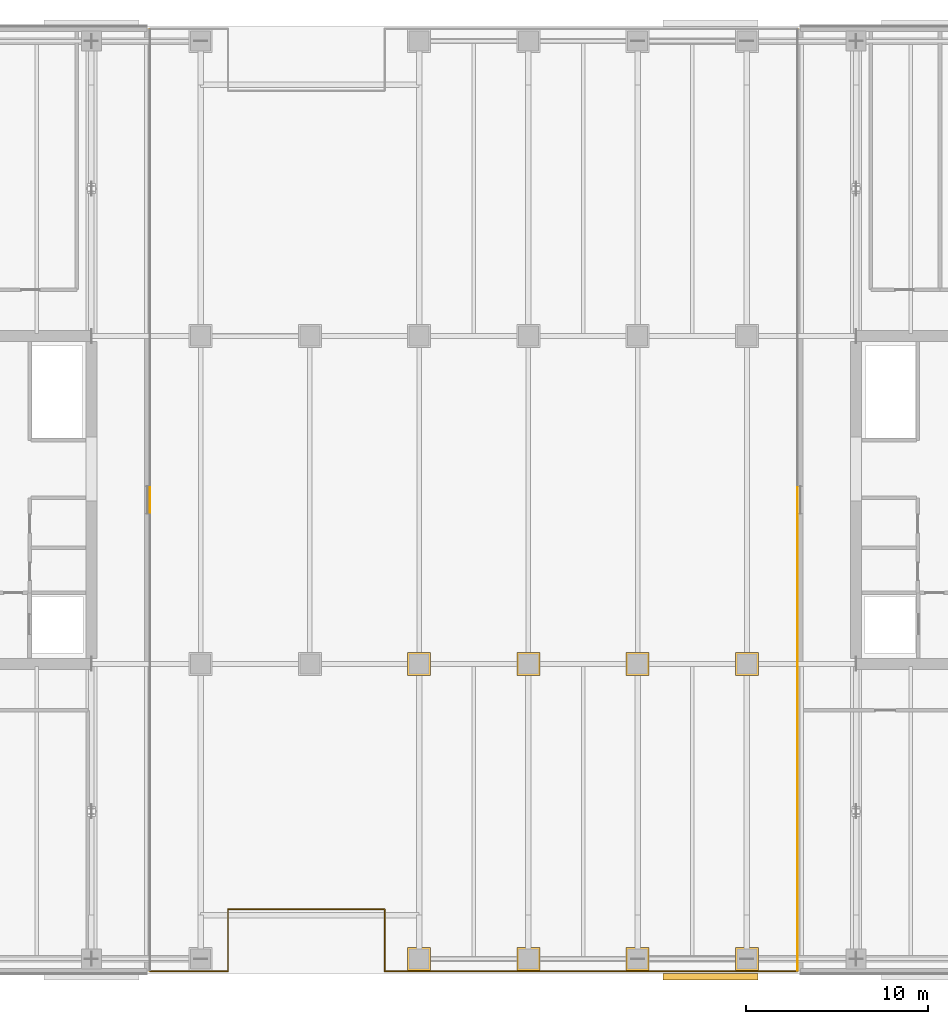
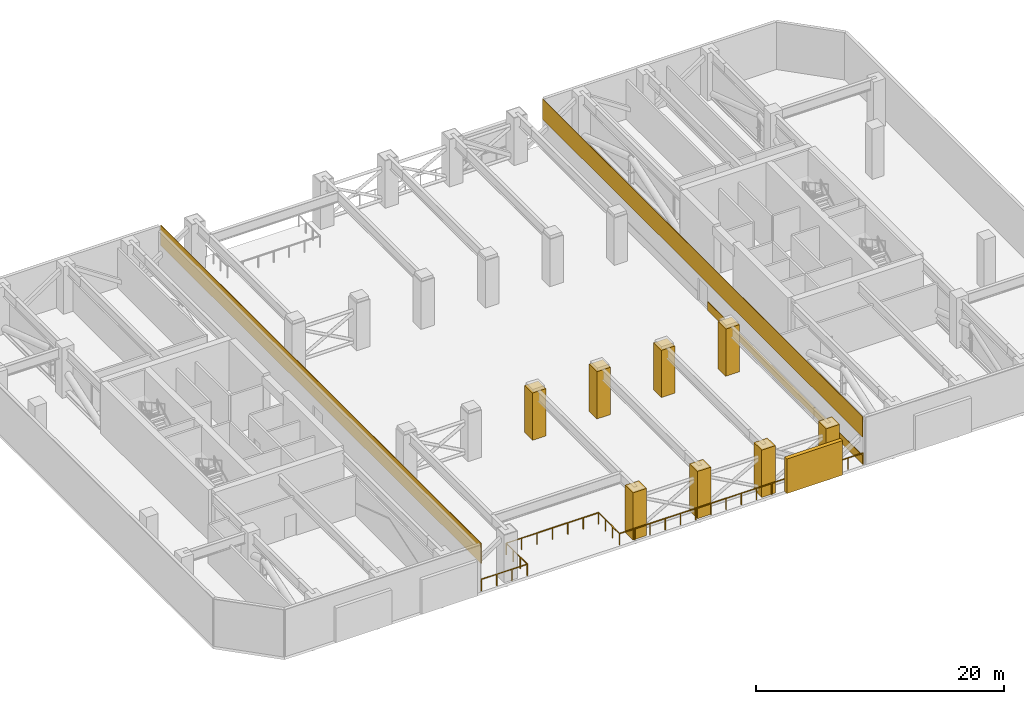
# One storey, part 17 of 22: 11 coverings, 1 railing, 1 shading device.
"""IFC4 building model written with IfcOpenShell, lengths in metres."""

from ifc_helpers import new_model, si_unit, direction, frame, origin, origin_2d, place, context, subcontext, project, spatial, rectangle, extrude, material, layer, layer_set, type_object, element, save


model = new_model("IFC4")

# Units and contexts
model_context = context("Model", 3, precision=1e-05, world=origin(), true_north=direction((0.0, 1.0)))
body_context = subcontext(model_context, "Body", "Model", "MODEL_VIEW")
ifc_project = project(units=[si_unit("LENGTHUNIT", "METRE"), si_unit("AREAUNIT", "SQUARE_METRE"), si_unit("VOLUMEUNIT", "CUBIC_METRE"), si_unit("PLANEANGLEUNIT", "RADIAN"), si_unit("MASSUNIT", "GRAM", prefix="KILO")], contexts=[model_context])

# Site, building, storey
site_placement = place(None, origin())
site = spatial("IfcSite", under=ifc_project, at=site_placement, CompositionType="ELEMENT")
building_placement = place(site_placement, origin())
building = spatial("IfcBuilding", under=site, at=building_placement, Name="Tanjung Sevakor Pilgrim Tower", CompositionType="ELEMENT")
storey_placement = place(building_placement, frame((0.0, 0.0, 73.260009765625)))
storey = spatial("IfcBuildingStorey", under=building, at=storey_placement, Name="L20", CompositionType="ELEMENT", Elevation=73.260009765625)

# Coverings
ifc_material_1 = material(Name="Reconstructed Limestone Cladding", Category="masonry")
ifc_layer = layer(ifc_material_1, 0.044921875)
ifc_layer_set = layer_set([ifc_layer], Name="COV-CLAD-LIMESTONE")
covering_type = type_object("IfcCoveringType", Name="COV-CLAD-LIMESTONE", PredefinedType="CLADDING", material=ifc_layer_set)
covering_1_placement = place(storey_placement, frame((39.222412109375, 33.60009765625, 2.659912109375), z_axis=(0.0, 0.0, 1.0), x_axis=(0.0, 1.0, 0.0)))
element("IfcCovering", 1, at=covering_1_placement, inside=storey, type_object=covering_type, Name="L20 Warm Limestone Cornice Spandrel EW-RFW-L20-2", PredefinedType="CLADDING", context=body_context, shape_type="SweptSolid", body=[
    extrude(rectangle(XDim=51.679931640625, YDim=0.044921875, at=origin_2d()), origin(), (0.0, 0.0, 1.0), 2.0),
])
covering_2_placement = place(storey_placement, frame((74.777587890625, 20.284912109375, 0.009765625), z_axis=(0.0, 0.0, 1.0), x_axis=(0.0, -1.0, 0.0)))
element("IfcCovering", 2, at=covering_2_placement, inside=storey, type_object=covering_type, Name="L20 Warm Limestone Sill Spandrel EW-RFE-L20-6-2", PredefinedType="CLADDING", context=body_context, shape_type="SweptSolid", body=[
    extrude(rectangle(XDim=25.010009765625, YDim=0.044921875, at=origin_2d()), origin(), (0.0, 0.0, 1.0), 0.840087890625),
])
covering_3_placement = place(storey_placement, frame((74.777587890625, 33.60009765625, 2.659912109375), z_axis=(0.0, 0.0, 1.0), x_axis=(0.0, -1.0, 0.0)))
element("IfcCovering", 3, at=covering_3_placement, inside=storey, type_object=covering_type, Name="L20 Warm Limestone Cornice Spandrel EW-RFE-L20-6", PredefinedType="CLADDING", context=body_context, shape_type="SweptSolid", body=[
    extrude(rectangle(XDim=51.679931640625, YDim=0.044921875, at=origin_2d()), origin(), (0.0, 0.0, 1.0), 2.0),
])
for number, where, z_axis, x_axis, name in (
    (4, (54.0, 24.60009765625, 0.010009765625), (0.0, 0.0, 1.0), (1.0, 0.0, 0.0), "L20 Portal Colonnade Limestone Casing 07"),
    (5, (60.0, 24.60009765625, 0.010009765625), (0.0, 0.0, 1.0), (1.0, 0.0, 0.0), "L20 Portal Colonnade Limestone Casing 09"),
    (6, (66.0, 24.60009765625, 0.010009765625), (0.0, 0.0, 1.0), (1.0, 0.0, 0.0), "L20 Portal Colonnade Limestone Casing 11"),
    (7, (72.0, 24.60009765625, 0.010009765625), (0.0, 0.0, 1.0), (1.0, 0.0, 0.0), "L20 Portal Colonnade Limestone Casing 13"),
    (8, (54.0, 8.39990234375, 0.010009765625), (0.0, 0.0, 1.0), (1.0, 0.0, 0.0), "L20 Portal Colonnade Limestone Casing 33"),
    (9, (60.0, 8.39990234375, 0.010009765625), (0.0, 0.0, 1.0), (1.0, 0.0, 0.0), "L20 Portal Colonnade Limestone Casing 35"),
    (10, (66.0, 8.39990234375, 0.010009765625), (0.0, 0.0, 1.0), (1.0, 0.0, 0.0), "L20 Portal Colonnade Limestone Casing 37"),
    (11, (72.0, 8.39990234375, 0.010009765625), (0.0, 0.0, 1.0), (1.0, 0.0, 0.0), "L20 Portal Colonnade Limestone Casing 39"),
):
    element("IfcCovering", number, at=place(storey_placement, frame(where, z_axis=z_axis, x_axis=x_axis)), inside=storey, type_object=covering_type, Name=name, PredefinedType="CLADDING", context=body_context, shape_type="SweptSolid", body=[
        extrude(rectangle(XDim=1.260009765625, YDim=1.260009765625, at=origin_2d()), origin(), (0.0, 0.0, 1.0), 4.64990234375),
    ])

# Railing
ifc_material_2 = material(Name="Steel S355J2", Category="steel")
railing_type = type_object("IfcRailingType", Name="RL-EXT-GUARD", PredefinedType="GUARDRAIL", material=ifc_material_2)
railing_placement = place(storey_placement, frame((39.219970703125, 7.719970703125, 0.0)))
element("IfcRailing", 12, at=railing_placement, inside=storey, type_object=railing_type, Name="L20 South Wind-Turbine Portal Guardrail", PredefinedType="GUARDRAIL", context=body_context, shape_type="SweptSolid", body=[
    extrude(rectangle(XDim=0.0479, YDim=0.0479), frame((0.0, 0.0, 1.1259765625), z_axis=(1.0, 0.0, 0.0), x_axis=(0.0, 1.0, 0.0)), (0.0, 0.0, 1.0), 4.280029296875),
    extrude(rectangle(XDim=0.0479, YDim=0.0479), frame((4.280029296875, 0.0, 1.1259765625), z_axis=(0.0, 1.0, 0.0), x_axis=(-1.0, 0.0, 0.0)), (0.0, 0.0, 1.0), 3.400146484375),
    extrude(rectangle(XDim=0.0479, YDim=0.0479), frame((4.280029296875, 3.400146484375, 1.1259765625), z_axis=(1.0, 0.0, 0.0), x_axis=(0.0, 1.0, 0.0)), (0.0, 0.0, 1.0), 8.60009765625),
    extrude(rectangle(XDim=0.0479, YDim=0.0479), frame((12.880126953125, 3.400146484375, 1.1259765625), z_axis=(0.0, -1.0, 0.0), x_axis=(1.0, 0.0, 0.0)), (0.0, 0.0, 1.0), 3.400146484375),
    extrude(rectangle(XDim=0.0479, YDim=0.0479), frame((12.880126953125, 0.0, 1.1259765625), z_axis=(1.0, 0.0, 0.0), x_axis=(0.0, 1.0, 0.0)), (0.0, 0.0, 1.0), 22.679931640625),
    extrude(rectangle(XDim=0.042, YDim=0.042), origin(), (0.0, 0.0, 1.0), 1.101806640625),
    extrude(rectangle(XDim=0.042, YDim=0.042), frame((1.4267578125, 0.0, 0.0)), (0.0, 0.0, 1.0), 1.101806640625),
    extrude(rectangle(XDim=0.042, YDim=0.042), frame((2.853271484375, 0.0, 0.0)), (0.0, 0.0, 1.0), 1.101806640625),
    extrude(rectangle(XDim=0.042, YDim=0.042), frame((4.280029296875, 0.0, 0.0)), (0.0, 0.0, 1.0), 1.101806640625),
    extrude(rectangle(XDim=0.042, YDim=0.042), frame((4.280029296875, 1.13330078125, 0.0)), (0.0, 0.0, 1.0), 1.101806640625),
    extrude(rectangle(XDim=0.042, YDim=0.042), frame((4.280029296875, 2.266845703125, 0.0)), (0.0, 0.0, 1.0), 1.101806640625),
    extrude(rectangle(XDim=0.042, YDim=0.042), frame((4.280029296875, 3.400146484375, 0.0)), (0.0, 0.0, 1.0), 1.101806640625),
    extrude(rectangle(XDim=0.042, YDim=0.042), frame((5.71337890625, 3.400146484375, 0.0)), (0.0, 0.0, 1.0), 1.101806640625),
    extrude(rectangle(XDim=0.042, YDim=0.042), frame((7.146728515625, 3.400146484375, 0.0)), (0.0, 0.0, 1.0), 1.101806640625),
    extrude(rectangle(XDim=0.042, YDim=0.042), frame((8.580078125, 3.400146484375, 0.0)), (0.0, 0.0, 1.0), 1.101806640625),
    extrude(rectangle(XDim=0.042, YDim=0.042), frame((10.013427734375, 3.400146484375, 0.0)), (0.0, 0.0, 1.0), 1.101806640625),
    extrude(rectangle(XDim=0.042, YDim=0.042), frame((11.44677734375, 3.400146484375, 0.0)), (0.0, 0.0, 1.0), 1.101806640625),
    extrude(rectangle(XDim=0.042, YDim=0.042), frame((12.880126953125, 3.400146484375, 0.0)), (0.0, 0.0, 1.0), 1.101806640625),
    extrude(rectangle(XDim=0.042, YDim=0.042), frame((12.880126953125, 2.266845703125, 0.0)), (0.0, 0.0, 1.0), 1.101806640625),
    extrude(rectangle(XDim=0.042, YDim=0.042), frame((12.880126953125, 1.13330078125, 0.0)), (0.0, 0.0, 1.0), 1.101806640625),
    extrude(rectangle(XDim=0.042, YDim=0.042), frame((12.880126953125, 0.0, 0.0)), (0.0, 0.0, 1.0), 1.101806640625),
    extrude(rectangle(XDim=0.042, YDim=0.042), frame((14.297607421875, 0.0, 0.0)), (0.0, 0.0, 1.0), 1.101806640625),
    extrude(rectangle(XDim=0.042, YDim=0.042), frame((15.715087890625, 0.0, 0.0)), (0.0, 0.0, 1.0), 1.101806640625),
    extrude(rectangle(XDim=0.042, YDim=0.042), frame((17.132568359375, 0.0, 0.0)), (0.0, 0.0, 1.0), 1.101806640625),
    extrude(rectangle(XDim=0.042, YDim=0.042), frame((18.550048828125, 0.0, 0.0)), (0.0, 0.0, 1.0), 1.101806640625),
    extrude(rectangle(XDim=0.042, YDim=0.042), frame((19.967529296875, 0.0, 0.0)), (0.0, 0.0, 1.0), 1.101806640625),
    extrude(rectangle(XDim=0.042, YDim=0.042), frame((21.385009765625, 0.0, 0.0)), (0.0, 0.0, 1.0), 1.101806640625),
    extrude(rectangle(XDim=0.042, YDim=0.042), frame((22.802490234375, 0.0, 0.0)), (0.0, 0.0, 1.0), 1.101806640625),
    extrude(rectangle(XDim=0.042, YDim=0.042), frame((24.22021484375, 0.0, 0.0)), (0.0, 0.0, 1.0), 1.101806640625),
    extrude(rectangle(XDim=0.042, YDim=0.042), frame((25.6376953125, 0.0, 0.0)), (0.0, 0.0, 1.0), 1.101806640625),
    extrude(rectangle(XDim=0.042, YDim=0.042), frame((27.05517578125, 0.0, 0.0)), (0.0, 0.0, 1.0), 1.101806640625),
    extrude(rectangle(XDim=0.042, YDim=0.042), frame((28.47265625, 0.0, 0.0)), (0.0, 0.0, 1.0), 1.101806640625),
    extrude(rectangle(XDim=0.042, YDim=0.042), frame((29.89013671875, 0.0, 0.0)), (0.0, 0.0, 1.0), 1.101806640625),
    extrude(rectangle(XDim=0.042, YDim=0.042), frame((31.3076171875, 0.0, 0.0)), (0.0, 0.0, 1.0), 1.101806640625),
    extrude(rectangle(XDim=0.042, YDim=0.042), frame((32.72509765625, 0.0, 0.0)), (0.0, 0.0, 1.0), 1.101806640625),
    extrude(rectangle(XDim=0.042, YDim=0.042), frame((34.142578125, 0.0, 0.0)), (0.0, 0.0, 1.0), 1.101806640625),
    extrude(rectangle(XDim=0.042, YDim=0.042), frame((35.56005859375, 0.0, 0.0)), (0.0, 0.0, 1.0), 1.101806640625),
])

# Shading device
ifc_material_3 = material(Name="Anodised Bronze Aluminium 6063-T6", Category="aluminium")
shading_device_type = type_object("IfcShadingDeviceType", Name="SHD-LOUVRE-SLOT", PredefinedType="USERDEFINED", material=ifc_material_3)
shading_device_placement = place(storey_placement, frame((70.0, 7.419921875, 0.0), z_axis=(0.0, 0.0, 1.0), x_axis=(1.0, 0.0, 0.0)))
element("IfcShadingDevice", 13, at=shading_device_placement, inside=storey, type_object=shading_device_type, Name="L20 Plant Wing Acoustic Louvre S-03", ObjectType="LOUVRE", PredefinedType="USERDEFINED", context=body_context, shape_type="SweptSolid", body=[
    extrude(rectangle(XDim=5.199951171875, YDim=0.360107421875, at=origin_2d()), origin(), (0.0, 0.0, 1.0), 3.39990234375),
])

save(model, "model.ifc")
